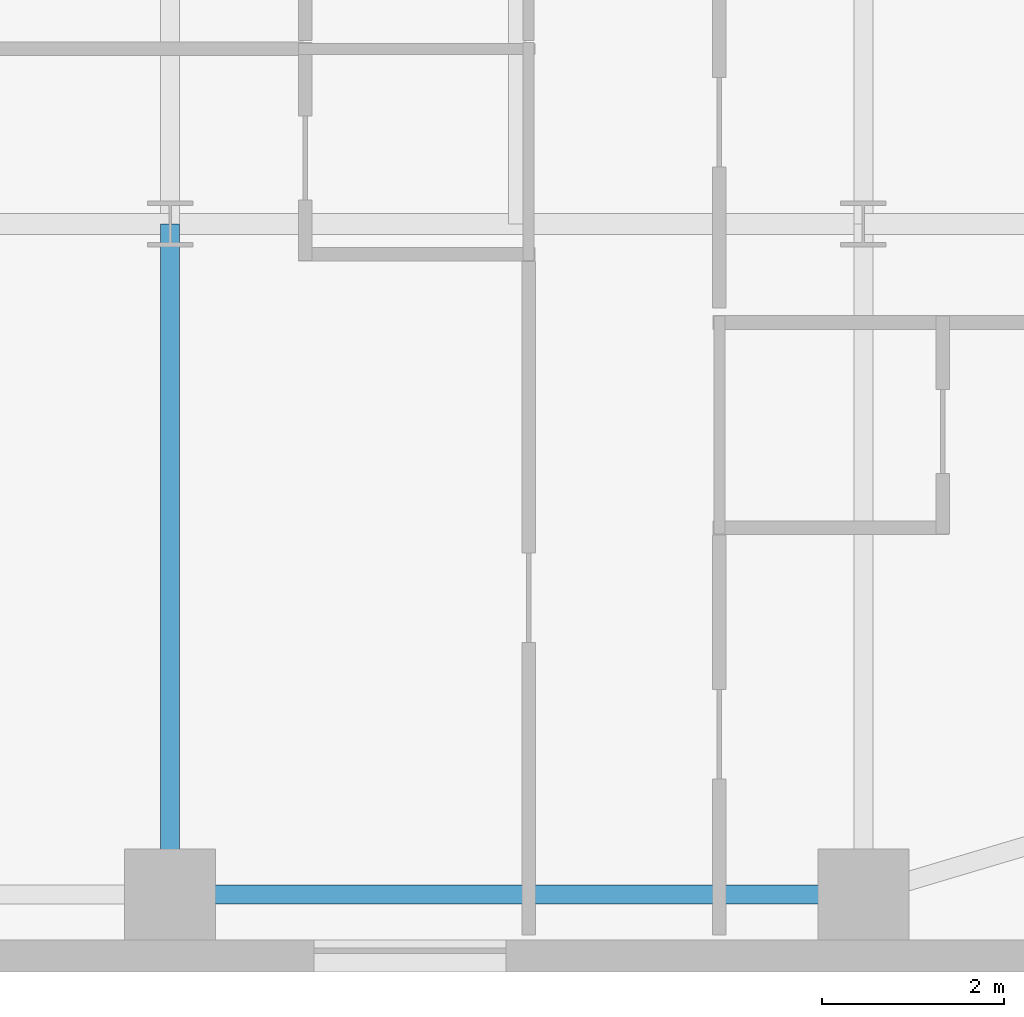
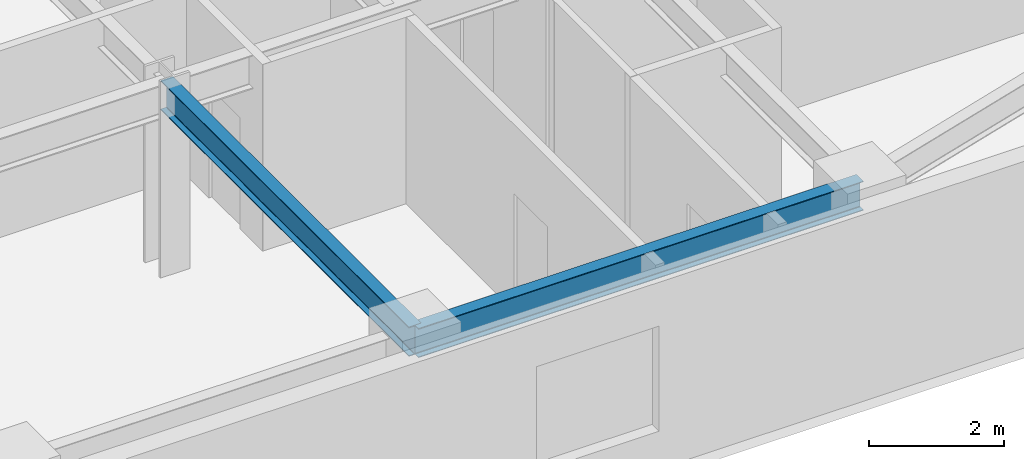
# One storey, part 6 of 16: 2 beams.
"""IFC4 building model written with IfcOpenShell, lengths in metres."""

from ifc_helpers import new_model, si_unit, direction, frame, origin, origin_2d, place, context, subcontext, project, spatial, i_section, extrude, source, transform, mapped, material, material_profile, profile_set, type_object, type_shapes, element, save


model = new_model("IFC4")

# Units and contexts
model_context = context("Model", 3, precision=1e-05, world=origin(), true_north=direction((0.0, 1.0)))
body_context = subcontext(model_context, "Body", "Model", "MODEL_VIEW")
ifc_project = project(units=[si_unit("LENGTHUNIT", "METRE"), si_unit("AREAUNIT", "SQUARE_METRE"), si_unit("VOLUMEUNIT", "CUBIC_METRE"), si_unit("PLANEANGLEUNIT", "RADIAN"), si_unit("MASSUNIT", "GRAM", prefix="KILO")], contexts=[model_context])

# Site, building, storey
site_placement = place(None, origin())
site = spatial("IfcSite", under=ifc_project, at=site_placement, CompositionType="ELEMENT")
building_placement = place(site_placement, origin())
building = spatial("IfcBuilding", under=site, at=building_placement, Name="Tolvann Quenvar Hotel", CompositionType="ELEMENT")
storey_placement = place(building_placement, frame((0.0, 0.0, 63.949951171875)))
storey = spatial("IfcBuildingStorey", under=building, at=storey_placement, Name="L15", CompositionType="ELEMENT", Elevation=63.949951171875)

# Beams
ifc_material = material(Name="Steel Grade 350", Category="steel")
ifc_material_profile_1 = material_profile(ifc_material, i_section(OverallWidth=0.208984375, OverallDepth=0.528076171875, WebThickness=0.009521484375, FlangeThickness=0.01318359375, FilletRadius=0.013916015625, at=origin_2d()), Name="530UB82")
ifc_profile_set_1 = profile_set([ifc_material_profile_1], Name="Steel Grade 350")
beam_type_1 = type_object("IfcBeamType", Name="BM_SPAND_530UB82", PredefinedType="SPANDREL", material=ifc_profile_set_1)
shared_shape_1 = source(origin(), body_context, "Body", "SweptSolid", [
    extrude(i_section(OverallWidth=0.208984375, OverallDepth=0.528076171875, WebThickness=0.009521484375, FlangeThickness=0.01318359375, FilletRadius=0.013916015625, at=origin_2d()), origin(), (0.0, 0.0, 1.0), 7.599853515625),
])
type_shapes(beam_type_1, [shared_shape_1])
beam_1_placement = place(storey_placement, frame((41.800048828125, 0.85009765625, 3.10595703125), z_axis=(1.0, 0.0, 0.0), x_axis=(0.0, 1.0, 0.0)))
element("IfcBeam", 1, at=beam_1_placement, inside=storey, type_object=beam_type_1, Name="BM-L15-EW-2-H2-I2", PredefinedType="SPANDREL", context=body_context, shape_type="MappedRepresentation", body=[
    mapped(shared_shape_1, transform((0.0, 0.0, 0.0), x_axis=(1.0, 0.0, 0.0), y_axis=(0.0, 1.0, 0.0), z_axis=(0.0, 0.0, 1.0), scale=1.0)),
])
ifc_material_profile_2 = material_profile(ifc_material, i_section(OverallWidth=0.208984375, OverallDepth=0.532958984375, WebThickness=0.01025390625, FlangeThickness=0.015625, FilletRadius=0.013916015625, at=origin_2d()), Name="530UB92")
ifc_profile_set_2 = profile_set([ifc_material_profile_2], Name="Steel Grade 350")
beam_type_2 = type_object("IfcBeamType", Name="BM_GIRD_530UB92", PredefinedType="BEAM", material=ifc_profile_set_2)
shared_shape_2 = source(origin(), body_context, "Body", "SweptSolid", [
    extrude(i_section(OverallWidth=0.208984375, OverallDepth=0.532958984375, WebThickness=0.01025390625, FlangeThickness=0.015625, FilletRadius=0.013916015625, at=origin_2d()), origin(), (0.0, 0.0, 1.0), 7.349853515625),
])
type_shapes(beam_type_2, [shared_shape_2])
beam_2_placement = place(storey_placement, frame((41.800048828125, 0.85009765625, 3.103515625), z_axis=(0.0, 1.0, 0.0), x_axis=(-1.0, 0.0, 0.0)))
element("IfcBeam", 2, at=beam_2_placement, inside=storey, type_object=beam_type_2, Name="BM-L15-NS-H2-H3", PredefinedType="BEAM", context=body_context, shape_type="MappedRepresentation", body=[
    mapped(shared_shape_2, transform((0.0, 0.0, 0.0), x_axis=(1.0, 0.0, 0.0), y_axis=(0.0, 1.0, 0.0), z_axis=(0.0, 0.0, 1.0), scale=1.0)),
])

save(model, "model.ifc")
